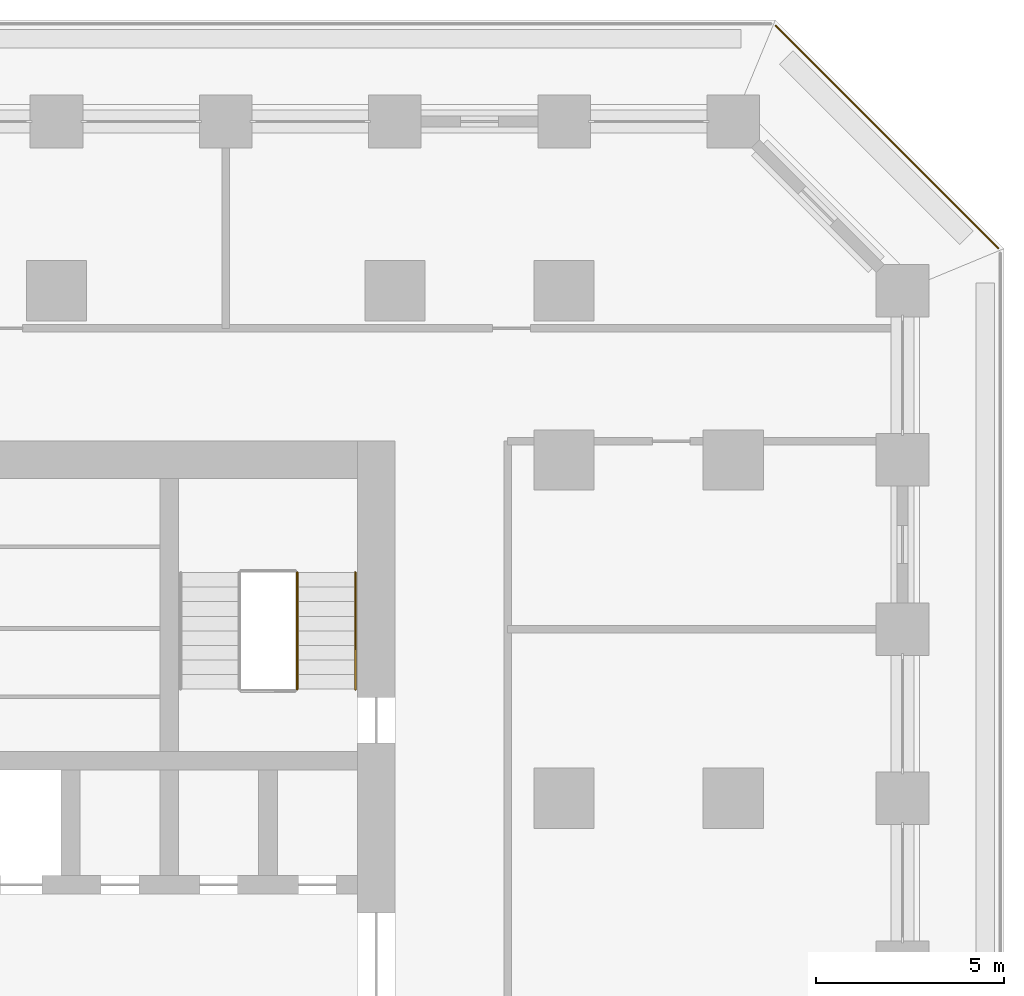
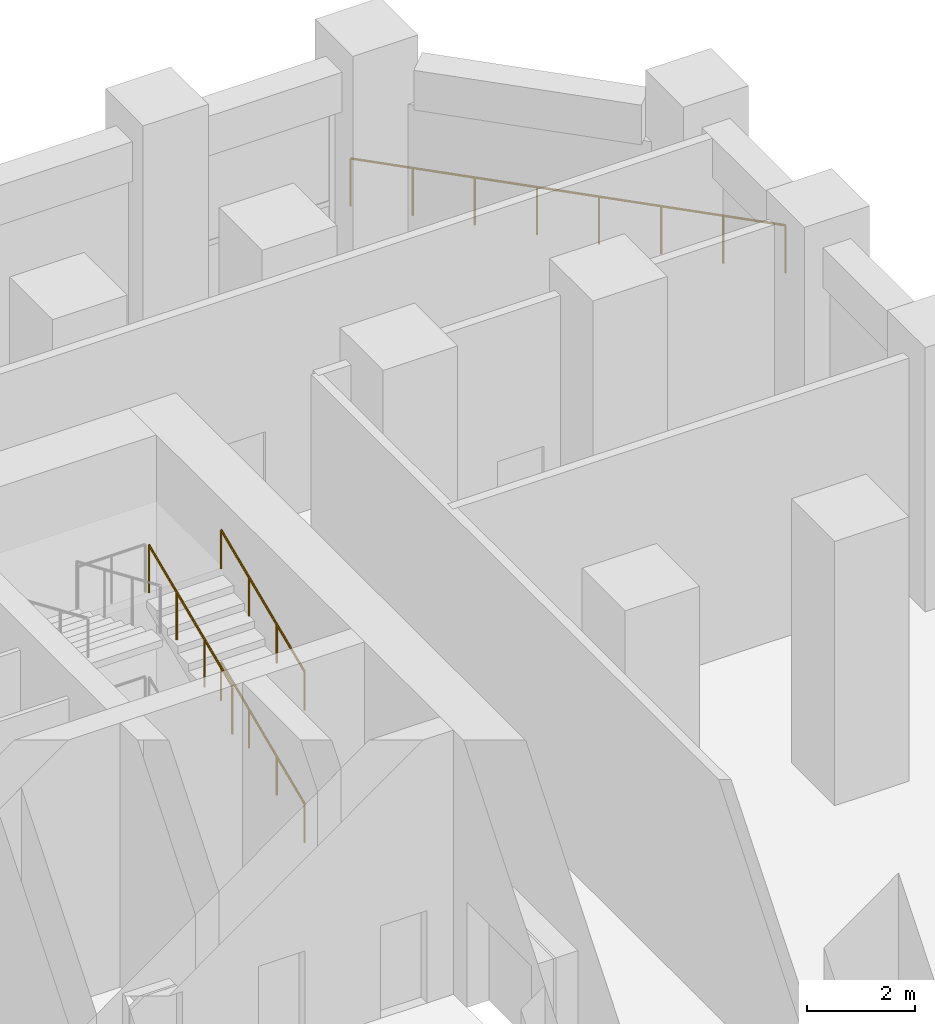
# One storey, part 18 of 19: 4 railings.
"""IFC4 building model written with IfcOpenShell, lengths in metres."""

from ifc_helpers import new_model, si_unit, direction, frame, origin, origin_2d, place, context, subcontext, project, spatial, circle, extrude, material, type_object, element, save


model = new_model("IFC4")

# Units and contexts
model_context = context("Model", 3, precision=1e-05, world=origin(), true_north=direction((0.0, 1.0)))
body_context = subcontext(model_context, "Body", "Model", "MODEL_VIEW")
ifc_project = project(units=[si_unit("LENGTHUNIT", "METRE"), si_unit("AREAUNIT", "SQUARE_METRE"), si_unit("VOLUMEUNIT", "CUBIC_METRE"), si_unit("PLANEANGLEUNIT", "RADIAN"), si_unit("MASSUNIT", "GRAM", prefix="KILO")], contexts=[model_context])

# Site, building, storey
site_placement = place(None, origin())
site = spatial("IfcSite", under=ifc_project, at=site_placement, CompositionType="ELEMENT")
building_placement = place(site_placement, origin())
building = spatial("IfcBuilding", under=site, at=building_placement, Name="Corbel Stack Research Tower", CompositionType="ELEMENT")
storey_placement = place(building_placement, frame((0.0, 0.0, 70.60009765625)))
storey = spatial("IfcBuildingStorey", under=building, at=storey_placement, Name="L16", CompositionType="ELEMENT", Elevation=70.60009765625)

# Railings
ifc_material_1 = material(Name="Steel S355", Category="steel")
railing_type_1 = type_object("IfcRailingType", Name="Stair guard 1100", PredefinedType="GUARDRAIL", material=ifc_material_1)
railing_1_placement = place(storey_placement, frame((15.39990234375, 11.89990234375, 3.16650390625)))
element("IfcRailing", 1, at=railing_1_placement, inside=storey, type_object=railing_type_1, Name="L16 ST-E2 stair guard 5", PredefinedType="GUARDRAIL", context=body_context, shape_type="SweptSolid", body=[
    extrude(circle(Radius=0.02392578125, at=origin_2d()), frame((0.0, 0.0, 1.076171875), z_axis=(0.0, 0.918800789217, 0.394721559753), x_axis=(-1.0, 0.0, 0.0)), (0.0, 0.0, 1.0), 3.37841796875),
    extrude(circle(Radius=0.02099609375, at=origin_2d()), origin(), (0.0, 0.0, 1.0), 1.052001953125),
    extrude(circle(Radius=0.02099609375, at=origin_2d()), frame((0.0, 1.03466796875, 0.444580078125)), (0.0, 0.0, 1.0), 1.052001953125),
    extrude(circle(Radius=0.02099609375, at=origin_2d()), frame((0.0, 2.0693359375, 0.888916015625)), (0.0, 0.0, 1.0), 1.052001953125),
    extrude(circle(Radius=0.02099609375, at=origin_2d()), frame((0.0, 3.10400390625, 1.33349609375)), (0.0, 0.0, 1.0), 1.052001953125),
])
ifc_material_2 = material(Name="Steel S355", Category="steel")
railing_type_2 = type_object("IfcRailingType", Name="Stair handrail 900", PredefinedType="HANDRAIL", material=ifc_material_2)
for number, where, name in (
    (2, (16.949951171875, 11.89990234375, 0.16650390625), "L16 ST-E2 stair handrail 1"),
    (3, (16.949951171875, 11.89990234375, 3.16650390625), "L16 ST-E2 stair handrail 3"),
):
    element("IfcRailing", number, at=place(storey_placement, frame(where)), inside=storey, type_object=railing_type_2, Name=name, PredefinedType="HANDRAIL", context=body_context, shape_type="SweptSolid", body=[
        extrude(circle(Radius=0.02392578125, at=origin_2d()), frame((0.0, 0.0, 0.8759765625), z_axis=(0.0, 0.918800789217, 0.394721559753), x_axis=(-1.0, 0.0, 0.0)), (0.0, 0.0, 1.0), 3.37841796875),
        extrude(circle(Radius=0.02099609375, at=origin_2d()), origin(), (0.0, 0.0, 1.0), 0.851806640625),
        extrude(circle(Radius=0.02099609375, at=origin_2d()), frame((0.0, 1.03466796875, 0.444580078125)), (0.0, 0.0, 1.0), 0.851806640625),
        extrude(circle(Radius=0.02099609375, at=origin_2d()), frame((0.0, 2.0693359375, 0.888916015625)), (0.0, 0.0, 1.0), 0.851806640625),
        extrude(circle(Radius=0.02099609375, at=origin_2d()), frame((0.0, 3.10400390625, 1.33349609375)), (0.0, 0.0, 1.0), 0.851806640625),
    ])
ifc_material_3 = material(Name="Powder-coated steel guard", Category="steel")
railing_type_3 = type_object("IfcRailingType", Name="Steel and glass guard 1100", PredefinedType="GUARDRAIL", material=ifc_material_3)
railing_2_placement = place(storey_placement, frame((34.04931640625, 23.627685546875, 0.0)))
element("IfcRailing", 4, at=railing_2_placement, inside=storey, type_object=railing_type_3, Name="Loggia guard L16 NE", PredefinedType="GUARDRAIL", context=body_context, shape_type="SweptSolid", body=[
    extrude(circle(Radius=0.02392578125, at=origin_2d()), frame((0.0, 0.0, 1.076171875), z_axis=(-0.707106781187, 0.707106781187, 0.0), x_axis=(-0.707106781187, -0.707106781187, 0.0)), (0.0, 0.0, 1.0), 8.37451171875),
    extrude(circle(Radius=0.02099609375, at=origin_2d()), origin(), (0.0, 0.0, 1.0), 1.052001953125),
    extrude(circle(Radius=0.02099609375, at=origin_2d()), frame((-0.845947265625, 0.845947265625, 0.0)), (0.0, 0.0, 1.0), 1.052001953125),
    extrude(circle(Radius=0.02099609375, at=origin_2d()), frame((-1.69189453125, 1.69189453125, 0.0)), (0.0, 0.0, 1.0), 1.052001953125),
    extrude(circle(Radius=0.02099609375, at=origin_2d()), frame((-2.537841796875, 2.537841796875, 0.0)), (0.0, 0.0, 1.0), 1.052001953125),
    extrude(circle(Radius=0.02099609375, at=origin_2d()), frame((-3.3837890625, 3.3837890625, 0.0)), (0.0, 0.0, 1.0), 1.052001953125),
    extrude(circle(Radius=0.02099609375, at=origin_2d()), frame((-4.229736328125, 4.229736328125, 0.0)), (0.0, 0.0, 1.0), 1.052001953125),
    extrude(circle(Radius=0.02099609375, at=origin_2d()), frame((-5.07568359375, 5.07568359375, 0.0)), (0.0, 0.0, 1.0), 1.052001953125),
    extrude(circle(Radius=0.02099609375, at=origin_2d()), frame((-5.921630859375, 5.921630859375, 0.0)), (0.0, 0.0, 1.0), 1.052001953125),
])

save(model, "model.ifc")
